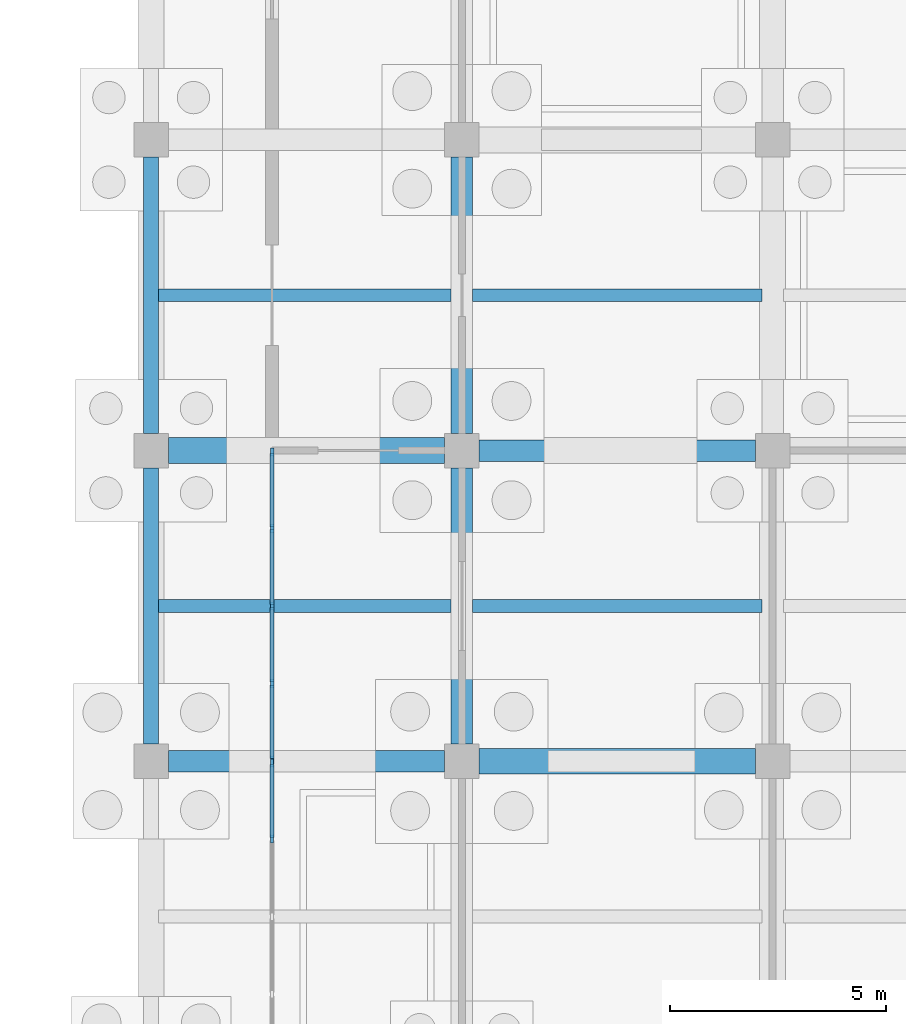
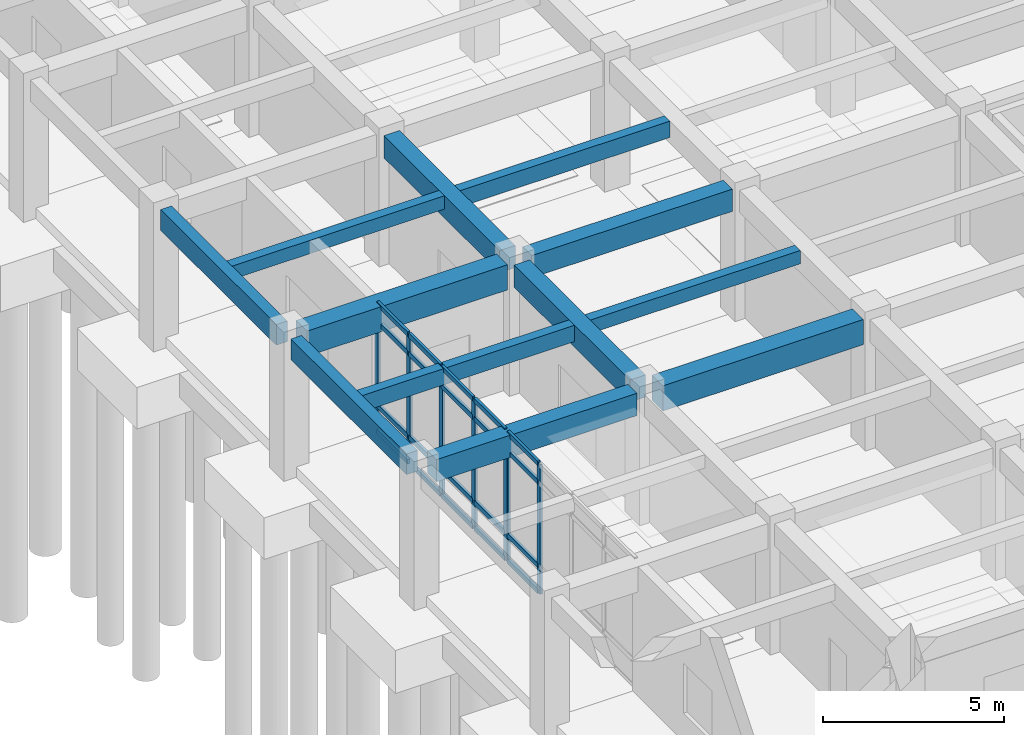
# One storey, part 31 of 79: 27 members, 12 beams, 2 elements without a shape of their own.
"""IFC4 building model written with IfcOpenShell, lengths in metres."""

from ifc_helpers import new_model, si_unit, direction, frame, origin, origin_2d, place, context, subcontext, project, spatial, rectangle, extrude, material, layer, layer_set, material_profile, profile_set, type_object, element, aggregate, save


model = new_model("IFC4")

# Units and contexts
model_context = context("Model", 3, precision=1e-05, world=origin(), true_north=direction((0.0, 1.0)))
body_context = subcontext(model_context, "Body", "Model", "MODEL_VIEW")
ifc_project = project(units=[si_unit("LENGTHUNIT", "METRE"), si_unit("AREAUNIT", "SQUARE_METRE"), si_unit("VOLUMEUNIT", "CUBIC_METRE"), si_unit("PLANEANGLEUNIT", "RADIAN"), si_unit("MASSUNIT", "GRAM", prefix="KILO")], contexts=[model_context])

# Site, building, storey
site_placement = place(None, origin())
site = spatial("IfcSite", under=ifc_project, at=site_placement, CompositionType="ELEMENT")
building_placement = place(site_placement, origin())
building = spatial("IfcBuilding", under=site, at=building_placement, Name="Kavelor Marine Aquarium", CompositionType="ELEMENT")
storey_placement = place(building_placement, origin())
storey = spatial("IfcBuildingStorey", under=building, at=storey_placement, Name="L00", CompositionType="ELEMENT", Elevation=0.0)

# Beams
ifc_material_1 = material(Name="Concrete C40/50", Category="concrete")
ifc_material_profile_1 = material_profile(ifc_material_1, rectangle(XDim=0.60009765625, YDim=0.85009765625, at=origin_2d()), Name="RC-BM 600x850")
ifc_profile_set_1 = profile_set([ifc_material_profile_1], Name="Concrete C40/50")
beam_type_1 = type_object("IfcBeamType", Name="BM-B1", PredefinedType="BEAM", material=ifc_profile_set_1)
for number, where, z_axis, x_axis, name in (
    (1, (118.800048828125, 74.800048828125, 3.955078125), (1.0, 0.0, 0.0), (0.0, 1.0, 0.0), "bm:x:L00:L01:16_10"),
    (2, (126.0, 67.60009765625, 3.955078125), (1.0, 0.0, 0.0), (0.0, 1.0, 0.0), "bm:x:L00:L01:17_09"),
):
    element("IfcBeam", number, at=place(storey_placement, frame(where, z_axis=z_axis, x_axis=x_axis)), inside=storey, type_object=beam_type_1, Name=name, PredefinedType="BEAM", context=body_context, shape_type="SweptSolid", body=[
        extrude(rectangle(XDim=0.60009765625, YDim=0.85009765625, at=origin_2d()), origin(), (0.0, 0.0, 1.0), 6.39990234375),
    ])
ifc_material_2 = material(Name="Concrete C40/50", Category="concrete")
ifc_material_profile_2 = material_profile(ifc_material_2, rectangle(XDim=0.5, YDim=0.75, at=origin_2d()), Name="RC-BM 500x750")
ifc_profile_set_2 = profile_set([ifc_material_profile_2], Name="Concrete C40/50")
beam_type_2 = type_object("IfcBeamType", Name="BM-B2", PredefinedType="BEAM", material=ifc_profile_set_2)
for number, where, z_axis, x_axis, name in (
    (3, (118.800048828125, 67.60009765625, 4.0048828125), (1.0, 0.0, 0.0), (0.0, 1.0, 0.0), "bm:x:L00:L01:16_09"),
    (4, (126.0, 74.800048828125, 4.0048828125), (1.0, 0.0, 0.0), (0.0, 1.0, 0.0), "bm:x:L00:L01:17_10"),
    (5, (125.60009765625, 68.0, 4.0048828125), (0.0, 1.0, 0.0), (-1.0, 0.0, 0.0), "bm:y:L00:L01:17_09"),
):
    element("IfcBeam", number, at=place(storey_placement, frame(where, z_axis=z_axis, x_axis=x_axis)), inside=storey, type_object=beam_type_2, Name=name, PredefinedType="BEAM", context=body_context, shape_type="SweptSolid", body=[
        extrude(rectangle(XDim=0.5, YDim=0.75, at=origin_2d()), origin(), (0.0, 0.0, 1.0), 6.39990234375),
    ])
beam_1_placement = place(storey_placement, frame((125.60009765625, 75.199951171875, 4.0048828125), z_axis=(0.0, 1.0, 0.0), x_axis=(-1.0, 0.0, 0.0)))
element("IfcBeam", 6, at=beam_1_placement, inside=storey, type_object=beam_type_2, Name="bm:y:L00:L01:17_10", PredefinedType="BEAM", context=body_context, shape_type="SweptSolid", body=[
    extrude(rectangle(XDim=0.5, YDim=0.75, at=origin_2d()), origin(), (0.0, 0.0, 1.0), 6.400146484375),
])
ifc_material_3 = material(Name="Concrete C40/50", Category="concrete")
ifc_material_profile_3 = material_profile(ifc_material_3, rectangle(XDim=0.300048828125, YDim=0.449951171875, at=origin_2d()), Name="RC-JS 300x450")
ifc_profile_set_3 = profile_set([ifc_material_profile_3], Name="Concrete C40/50")
beam_type_3 = type_object("IfcBeamType", Name="BM-JS1", PredefinedType="JOIST", material=ifc_profile_set_3)
beam_2_placement = place(storey_placement, frame((118.574951171875, 78.39990234375, 4.155029296875), z_axis=(1.0, 0.0, 0.0), x_axis=(0.0, 1.0, 0.0)))
element("IfcBeam", 7, at=beam_2_placement, inside=storey, type_object=beam_type_3, Name="js:L00:L01:16_10", PredefinedType="JOIST", context=body_context, shape_type="SweptSolid", body=[
    extrude(rectangle(XDim=0.300048828125, YDim=0.449951171875, at=origin_2d()), origin(), (0.0, 0.0, 1.0), 6.775146484375),
])
beam_3_placement = place(storey_placement, frame((125.85009765625, 71.199951171875, 4.155029296875), z_axis=(1.0, 0.0, 0.0), x_axis=(0.0, 1.0, 0.0)))
element("IfcBeam", 8, at=beam_3_placement, inside=storey, type_object=beam_type_3, Name="js:L00:L01:17_09", PredefinedType="JOIST", context=body_context, shape_type="SweptSolid", body=[
    extrude(rectangle(XDim=0.300048828125, YDim=0.449951171875, at=origin_2d()), origin(), (0.0, 0.0, 1.0), 6.699951171875),
])
ifc_material_4 = material(Name="Concrete C40/50", Category="concrete")
ifc_material_profile_4 = material_profile(ifc_material_4, rectangle(XDim=0.300048828125, YDim=0.550048828125, at=origin_2d()), Name="RC-JS 300x550")
ifc_profile_set_4 = profile_set([ifc_material_profile_4], Name="Concrete C40/50")
beam_type_4 = type_object("IfcBeamType", Name="BM-JS2", PredefinedType="JOIST", material=ifc_profile_set_4)
beam_4_placement = place(storey_placement, frame((118.574951171875, 71.199951171875, 4.10498046875), z_axis=(1.0, 0.0, 0.0), x_axis=(0.0, 1.0, 0.0)))
element("IfcBeam", 9, at=beam_4_placement, inside=storey, type_object=beam_type_4, Name="js:L00:L01:16_09", PredefinedType="JOIST", context=body_context, shape_type="SweptSolid", body=[
    extrude(rectangle(XDim=0.300048828125, YDim=0.550048828125, at=origin_2d()), origin(), (0.0, 0.0, 1.0), 6.775146484375),
])
beam_5_placement = place(storey_placement, frame((125.85009765625, 78.39990234375, 4.10498046875), z_axis=(1.0, 0.0, 0.0), x_axis=(0.0, 1.0, 0.0)))
element("IfcBeam", 10, at=beam_5_placement, inside=storey, type_object=beam_type_4, Name="js:L00:L01:17_10", PredefinedType="JOIST", context=body_context, shape_type="SweptSolid", body=[
    extrude(rectangle(XDim=0.300048828125, YDim=0.550048828125, at=origin_2d()), origin(), (0.0, 0.0, 1.0), 6.699951171875),
])
ifc_material_5 = material(Name="Concrete C40/50", Category="concrete")
ifc_material_profile_5 = material_profile(ifc_material_5, rectangle(XDim=0.35009765625, YDim=0.699951171875, at=origin_2d()), Name="RC-SP 350x700")
ifc_profile_set_5 = profile_set([ifc_material_profile_5], Name="Concrete C40/50")
beam_type_5 = type_object("IfcBeamType", Name="BM-SP1", PredefinedType="SPANDREL", material=ifc_profile_set_5)
beam_6_placement = place(storey_placement, frame((118.39990234375, 68.0, 4.030029296875), z_axis=(0.0, 1.0, 0.0), x_axis=(-1.0, 0.0, 0.0)))
element("IfcBeam", 11, at=beam_6_placement, inside=storey, type_object=beam_type_5, Name="bm:y:L00:L01:16_09", PredefinedType="SPANDREL", context=body_context, shape_type="SweptSolid", body=[
    extrude(rectangle(XDim=0.35009765625, YDim=0.699951171875, at=origin_2d()), origin(), (0.0, 0.0, 1.0), 6.39990234375),
])
beam_7_placement = place(storey_placement, frame((118.39990234375, 75.199951171875, 4.030029296875), z_axis=(0.0, 1.0, 0.0), x_axis=(-1.0, 0.0, 0.0)))
element("IfcBeam", 12, at=beam_7_placement, inside=storey, type_object=beam_type_5, Name="bm:y:L00:L01:16_10", PredefinedType="SPANDREL", context=body_context, shape_type="SweptSolid", body=[
    extrude(rectangle(XDim=0.35009765625, YDim=0.699951171875, at=origin_2d()), origin(), (0.0, 0.0, 1.0), 6.400146484375),
])

# Curtain wall, members
ifc_material_6 = material(Name="Thermally Broken Aluminium and Low-E Glass", Category="aluminium")
ifc_layer_1 = layer(ifc_material_6, 0.26806640625)
ifc_layer_set_1 = layer_set([ifc_layer_1], Name="CW-SYS16")
curtain_wall_type_1 = type_object("IfcCurtainWallType", Name="CW-SYS16", PredefinedType="USERDEFINED", material=ifc_layer_set_1)
curtain_wall_1_placement = place(storey_placement, origin())
curtain_wall_1 = element("IfcCurtainWall", 13, at=curtain_wall_1_placement, inside=storey, type_object=curtain_wall_type_1, Name="cw:arc:v6w:08", ObjectType="Curtain Wall", PredefinedType="USERDEFINED")
ifc_material_7 = material(Name="Anodised Aluminium Alloy 6063-T6", Category="aluminium")
ifc_material_profile_6 = material_profile(ifc_material_7, rectangle(XDim=0.074951171875, YDim=0.179931640625, at=origin_2d()), Name="CW-MUL 75x180")
ifc_profile_set_6 = profile_set([ifc_material_profile_6], Name="Anodised Aluminium Alloy 6063-T6")
member_type_1 = type_object("IfcMemberType", Name="CWM-1", PredefinedType="MULLION", material=ifc_profile_set_6)
member_1_placement = place(storey_placement, frame((121.199951171875, 67.5625, 0.0), z_axis=(0.0, 0.0, 1.0), x_axis=(1.0, 0.0, 0.0)))
member_1 = element("IfcMember", 14, at=member_1_placement, type_object=member_type_1, Name="CW16 mullion 1", PredefinedType="MULLION", context=body_context, shape_type="SweptSolid", body=[
    extrude(rectangle(XDim=0.074951171875, YDim=0.179931640625, at=origin_2d()), origin(), (0.0, 0.0, 1.0), 4.3701171875),
])
member_2_placement = place(storey_placement, frame((121.199951171875, 65.800048828125, 0.0), z_axis=(0.0, 0.0, 1.0), x_axis=(1.0, 0.0, 0.0)))
member_2 = element("IfcMember", 15, at=member_2_placement, type_object=member_type_1, Name="CW16 mullion 2", PredefinedType="MULLION", context=body_context, shape_type="SweptSolid", body=[
    extrude(rectangle(XDim=0.074951171875, YDim=0.179931640625, at=origin_2d()), origin(), (0.0, 0.0, 1.0), 4.3701171875),
])

ifc_material_8 = material(Name="Thermally Broken Aluminium and Low-E Glass", Category="aluminium")
ifc_layer_2 = layer(ifc_material_8, 0.27587890625)
ifc_layer_set_2 = layer_set([ifc_layer_2], Name="CW-SYS17")
curtain_wall_type_2 = type_object("IfcCurtainWallType", Name="CW-SYS17", PredefinedType="USERDEFINED", material=ifc_layer_set_2)
curtain_wall_2_placement = place(storey_placement, origin())
curtain_wall_2 = element("IfcCurtainWall", 16, at=curtain_wall_2_placement, inside=storey, type_object=curtain_wall_type_2, Name="cw:arc:v6w:09", ObjectType="Curtain Wall", PredefinedType="USERDEFINED")
ifc_material_9 = material(Name="Anodised Aluminium Alloy 6063-T6", Category="aluminium")
ifc_material_profile_7 = material_profile(ifc_material_9, rectangle(XDim=0.080078125, YDim=0.18505859375, at=origin_2d()), Name="CW-MUL 80x185")
ifc_profile_set_7 = profile_set([ifc_material_profile_7], Name="Anodised Aluminium Alloy 6063-T6")
member_type_2 = type_object("IfcMemberType", Name="CWM-2", PredefinedType="MULLION", material=ifc_profile_set_7)
member_3_placement = place(storey_placement, frame((121.199951171875, 74.767578125, 0.0), z_axis=(0.0, 0.0, 1.0), x_axis=(1.0, 0.0, 0.0)))
member_3 = element("IfcMember", 17, at=member_3_placement, type_object=member_type_2, Name="CW17 mullion 1", PredefinedType="MULLION", context=body_context, shape_type="SweptSolid", body=[
    extrude(rectangle(XDim=0.080078125, YDim=0.18505859375, at=origin_2d()), origin(), (0.0, 0.0, 1.0), 4.3701171875),
])
member_4_placement = place(storey_placement, frame((121.199951171875, 73.0, 0.0), z_axis=(0.0, 0.0, 1.0), x_axis=(1.0, 0.0, 0.0)))
member_4 = element("IfcMember", 18, at=member_4_placement, type_object=member_type_2, Name="CW17 mullion 2", PredefinedType="MULLION", context=body_context, shape_type="SweptSolid", body=[
    extrude(rectangle(XDim=0.080078125, YDim=0.18505859375, at=origin_2d()), origin(), (0.0, 0.0, 1.0), 4.3701171875),
])
member_5_placement = place(storey_placement, frame((121.199951171875, 71.199951171875, 0.0), z_axis=(0.0, 0.0, 1.0), x_axis=(1.0, 0.0, 0.0)))
member_5 = element("IfcMember", 19, at=member_5_placement, type_object=member_type_2, Name="CW17 mullion 3", PredefinedType="MULLION", context=body_context, shape_type="SweptSolid", body=[
    extrude(rectangle(XDim=0.080078125, YDim=0.18505859375, at=origin_2d()), origin(), (0.0, 0.0, 1.0), 4.3701171875),
])
member_6_placement = place(storey_placement, frame((121.199951171875, 69.39990234375, 0.0), z_axis=(0.0, 0.0, 1.0), x_axis=(1.0, 0.0, 0.0)))
member_6 = element("IfcMember", 20, at=member_6_placement, type_object=member_type_2, Name="CW17 mullion 4", PredefinedType="MULLION", context=body_context, shape_type="SweptSolid", body=[
    extrude(rectangle(XDim=0.080078125, YDim=0.18505859375, at=origin_2d()), origin(), (0.0, 0.0, 1.0), 4.3701171875),
])
member_7_placement = place(storey_placement, frame((121.199951171875, 67.632568359375, 0.0), z_axis=(0.0, 0.0, 1.0), x_axis=(1.0, 0.0, 0.0)))
member_7 = element("IfcMember", 21, at=member_7_placement, type_object=member_type_2, Name="CW17 mullion 5", PredefinedType="MULLION", context=body_context, shape_type="SweptSolid", body=[
    extrude(rectangle(XDim=0.080078125, YDim=0.18505859375, at=origin_2d()), origin(), (0.0, 0.0, 1.0), 4.3701171875),
])

# Member
ifc_material_10 = material(Name="Anodised Aluminium Alloy 6063-T6", Category="aluminium")
ifc_material_profile_8 = material_profile(ifc_material_10, rectangle(XDim=0.0849609375, YDim=0.159912109375, at=origin_2d()), Name="CW-TRN 85x160")
ifc_profile_set_8 = profile_set([ifc_material_profile_8], Name="Anodised Aluminium Alloy 6063-T6")
member_type_3 = type_object("IfcMemberType", Name="CWT-3", PredefinedType="USERDEFINED", material=ifc_profile_set_8)
member_8_placement = place(storey_placement, frame((121.199951171875, 67.52490234375, 0.030029296875), z_axis=(0.0, -1.0, 0.0), x_axis=(1.0, 0.0, 0.0)))
member_8 = element("IfcMember", 22, at=member_8_placement, type_object=member_type_3, Name="CW16 transom 1.1", ObjectType="TRANSOM", PredefinedType="USERDEFINED", context=body_context, shape_type="SweptSolid", body=[
    extrude(rectangle(XDim=0.0849609375, YDim=0.159912109375, at=origin_2d()), origin(), (0.0, 0.0, 1.0), 1.6875),
])

member_9_placement = place(storey_placement, frame((121.199951171875, 67.52490234375, 0.89990234375), z_axis=(0.0, -1.0, 0.0), x_axis=(1.0, 0.0, 0.0)))
member_9 = element("IfcMember", 23, at=member_9_placement, type_object=member_type_3, Name="CW16 transom 1.2", ObjectType="TRANSOM", PredefinedType="USERDEFINED", context=body_context, shape_type="SweptSolid", body=[
    extrude(rectangle(XDim=0.0849609375, YDim=0.159912109375, at=origin_2d()), origin(), (0.0, 0.0, 1.0), 1.6875),
])

member_10_placement = place(storey_placement, frame((121.199951171875, 67.52490234375, 3.719970703125), z_axis=(0.0, -1.0, 0.0), x_axis=(1.0, 0.0, 0.0)))
member_10 = element("IfcMember", 24, at=member_10_placement, type_object=member_type_3, Name="CW16 transom 1.3", ObjectType="TRANSOM", PredefinedType="USERDEFINED", context=body_context, shape_type="SweptSolid", body=[
    extrude(rectangle(XDim=0.0849609375, YDim=0.159912109375, at=origin_2d()), origin(), (0.0, 0.0, 1.0), 1.6875),
])

member_11_placement = place(storey_placement, frame((121.199951171875, 67.52490234375, 4.340087890625), z_axis=(0.0, -1.0, 0.0), x_axis=(1.0, 0.0, 0.0)))
member_11 = element("IfcMember", 25, at=member_11_placement, type_object=member_type_3, Name="CW16 transom 1.4", ObjectType="TRANSOM", PredefinedType="USERDEFINED", context=body_context, shape_type="SweptSolid", body=[
    extrude(rectangle(XDim=0.0849609375, YDim=0.159912109375, at=origin_2d()), origin(), (0.0, 0.0, 1.0), 1.6875),
])

aggregate(curtain_wall_1, [member_1, member_2, member_8, member_9, member_10, member_11])

member_12_placement = place(storey_placement, frame((121.199951171875, 74.735107421875, 0.030029296875), z_axis=(0.0, -1.0, 0.0), x_axis=(1.0, 0.0, 0.0)))
member_12 = element("IfcMember", 26, at=member_12_placement, type_object=member_type_3, Name="CW17 transom 1.1", ObjectType="TRANSOM", PredefinedType="USERDEFINED", context=body_context, shape_type="SweptSolid", body=[
    extrude(rectangle(XDim=0.0849609375, YDim=0.159912109375, at=origin_2d()), origin(), (0.0, 0.0, 1.0), 1.70263671875),
])

member_13_placement = place(storey_placement, frame((121.199951171875, 74.735107421875, 0.89990234375), z_axis=(0.0, -1.0, 0.0), x_axis=(1.0, 0.0, 0.0)))
member_13 = element("IfcMember", 27, at=member_13_placement, type_object=member_type_3, Name="CW17 transom 1.2", ObjectType="TRANSOM", PredefinedType="USERDEFINED", context=body_context, shape_type="SweptSolid", body=[
    extrude(rectangle(XDim=0.0849609375, YDim=0.159912109375, at=origin_2d()), origin(), (0.0, 0.0, 1.0), 1.70263671875),
])

member_14_placement = place(storey_placement, frame((121.199951171875, 74.735107421875, 3.719970703125), z_axis=(0.0, -1.0, 0.0), x_axis=(1.0, 0.0, 0.0)))
member_14 = element("IfcMember", 28, at=member_14_placement, type_object=member_type_3, Name="CW17 transom 1.3", ObjectType="TRANSOM", PredefinedType="USERDEFINED", context=body_context, shape_type="SweptSolid", body=[
    extrude(rectangle(XDim=0.0849609375, YDim=0.159912109375, at=origin_2d()), origin(), (0.0, 0.0, 1.0), 1.70263671875),
])

member_15_placement = place(storey_placement, frame((121.199951171875, 74.735107421875, 4.340087890625), z_axis=(0.0, -1.0, 0.0), x_axis=(1.0, 0.0, 0.0)))
member_15 = element("IfcMember", 29, at=member_15_placement, type_object=member_type_3, Name="CW17 transom 1.4", ObjectType="TRANSOM", PredefinedType="USERDEFINED", context=body_context, shape_type="SweptSolid", body=[
    extrude(rectangle(XDim=0.0849609375, YDim=0.159912109375, at=origin_2d()), origin(), (0.0, 0.0, 1.0), 1.70263671875),
])

member_16_placement = place(storey_placement, frame((121.199951171875, 72.967529296875, 0.030029296875), z_axis=(0.0, -1.0, 0.0), x_axis=(1.0, 0.0, 0.0)))
member_16 = element("IfcMember", 30, at=member_16_placement, type_object=member_type_3, Name="CW17 transom 2.1", ObjectType="TRANSOM", PredefinedType="USERDEFINED", context=body_context, shape_type="SweptSolid", body=[
    extrude(rectangle(XDim=0.0849609375, YDim=0.159912109375, at=origin_2d()), origin(), (0.0, 0.0, 1.0), 1.735107421875),
])

member_17_placement = place(storey_placement, frame((121.199951171875, 72.967529296875, 0.89990234375), z_axis=(0.0, -1.0, 0.0), x_axis=(1.0, 0.0, 0.0)))
member_17 = element("IfcMember", 31, at=member_17_placement, type_object=member_type_3, Name="CW17 transom 2.2", ObjectType="TRANSOM", PredefinedType="USERDEFINED", context=body_context, shape_type="SweptSolid", body=[
    extrude(rectangle(XDim=0.0849609375, YDim=0.159912109375, at=origin_2d()), origin(), (0.0, 0.0, 1.0), 1.735107421875),
])

member_18_placement = place(storey_placement, frame((121.199951171875, 72.967529296875, 3.719970703125), z_axis=(0.0, -1.0, 0.0), x_axis=(1.0, 0.0, 0.0)))
member_18 = element("IfcMember", 32, at=member_18_placement, type_object=member_type_3, Name="CW17 transom 2.3", ObjectType="TRANSOM", PredefinedType="USERDEFINED", context=body_context, shape_type="SweptSolid", body=[
    extrude(rectangle(XDim=0.0849609375, YDim=0.159912109375, at=origin_2d()), origin(), (0.0, 0.0, 1.0), 1.735107421875),
])

member_19_placement = place(storey_placement, frame((121.199951171875, 72.967529296875, 4.340087890625), z_axis=(0.0, -1.0, 0.0), x_axis=(1.0, 0.0, 0.0)))
member_19 = element("IfcMember", 33, at=member_19_placement, type_object=member_type_3, Name="CW17 transom 2.4", ObjectType="TRANSOM", PredefinedType="USERDEFINED", context=body_context, shape_type="SweptSolid", body=[
    extrude(rectangle(XDim=0.0849609375, YDim=0.159912109375, at=origin_2d()), origin(), (0.0, 0.0, 1.0), 1.735107421875),
])

member_20_placement = place(storey_placement, frame((121.199951171875, 71.16748046875, 0.030029296875), z_axis=(0.0, -1.0, 0.0), x_axis=(1.0, 0.0, 0.0)))
member_20 = element("IfcMember", 34, at=member_20_placement, type_object=member_type_3, Name="CW17 transom 3.1", ObjectType="TRANSOM", PredefinedType="USERDEFINED", context=body_context, shape_type="SweptSolid", body=[
    extrude(rectangle(XDim=0.0849609375, YDim=0.159912109375, at=origin_2d()), origin(), (0.0, 0.0, 1.0), 1.73486328125),
])

member_21_placement = place(storey_placement, frame((121.199951171875, 71.16748046875, 0.89990234375), z_axis=(0.0, -1.0, 0.0), x_axis=(1.0, 0.0, 0.0)))
member_21 = element("IfcMember", 35, at=member_21_placement, type_object=member_type_3, Name="CW17 transom 3.2", ObjectType="TRANSOM", PredefinedType="USERDEFINED", context=body_context, shape_type="SweptSolid", body=[
    extrude(rectangle(XDim=0.0849609375, YDim=0.159912109375, at=origin_2d()), origin(), (0.0, 0.0, 1.0), 1.73486328125),
])

member_22_placement = place(storey_placement, frame((121.199951171875, 71.16748046875, 3.719970703125), z_axis=(0.0, -1.0, 0.0), x_axis=(1.0, 0.0, 0.0)))
member_22 = element("IfcMember", 36, at=member_22_placement, type_object=member_type_3, Name="CW17 transom 3.3", ObjectType="TRANSOM", PredefinedType="USERDEFINED", context=body_context, shape_type="SweptSolid", body=[
    extrude(rectangle(XDim=0.0849609375, YDim=0.159912109375, at=origin_2d()), origin(), (0.0, 0.0, 1.0), 1.73486328125),
])

member_23_placement = place(storey_placement, frame((121.199951171875, 71.16748046875, 4.340087890625), z_axis=(0.0, -1.0, 0.0), x_axis=(1.0, 0.0, 0.0)))
member_23 = element("IfcMember", 37, at=member_23_placement, type_object=member_type_3, Name="CW17 transom 3.4", ObjectType="TRANSOM", PredefinedType="USERDEFINED", context=body_context, shape_type="SweptSolid", body=[
    extrude(rectangle(XDim=0.0849609375, YDim=0.159912109375, at=origin_2d()), origin(), (0.0, 0.0, 1.0), 1.73486328125),
])

member_24_placement = place(storey_placement, frame((121.199951171875, 69.367431640625, 0.030029296875), z_axis=(0.0, -1.0, 0.0), x_axis=(1.0, 0.0, 0.0)))
member_24 = element("IfcMember", 38, at=member_24_placement, type_object=member_type_3, Name="CW17 transom 4.1", ObjectType="TRANSOM", PredefinedType="USERDEFINED", context=body_context, shape_type="SweptSolid", body=[
    extrude(rectangle(XDim=0.0849609375, YDim=0.159912109375, at=origin_2d()), origin(), (0.0, 0.0, 1.0), 1.702392578125),
])

member_25_placement = place(storey_placement, frame((121.199951171875, 69.367431640625, 0.89990234375), z_axis=(0.0, -1.0, 0.0), x_axis=(1.0, 0.0, 0.0)))
member_25 = element("IfcMember", 39, at=member_25_placement, type_object=member_type_3, Name="CW17 transom 4.2", ObjectType="TRANSOM", PredefinedType="USERDEFINED", context=body_context, shape_type="SweptSolid", body=[
    extrude(rectangle(XDim=0.0849609375, YDim=0.159912109375, at=origin_2d()), origin(), (0.0, 0.0, 1.0), 1.702392578125),
])

member_26_placement = place(storey_placement, frame((121.199951171875, 69.367431640625, 3.719970703125), z_axis=(0.0, -1.0, 0.0), x_axis=(1.0, 0.0, 0.0)))
member_26 = element("IfcMember", 40, at=member_26_placement, type_object=member_type_3, Name="CW17 transom 4.3", ObjectType="TRANSOM", PredefinedType="USERDEFINED", context=body_context, shape_type="SweptSolid", body=[
    extrude(rectangle(XDim=0.0849609375, YDim=0.159912109375, at=origin_2d()), origin(), (0.0, 0.0, 1.0), 1.702392578125),
])

member_27_placement = place(storey_placement, frame((121.199951171875, 69.367431640625, 4.340087890625), z_axis=(0.0, -1.0, 0.0), x_axis=(1.0, 0.0, 0.0)))
member_27 = element("IfcMember", 41, at=member_27_placement, type_object=member_type_3, Name="CW17 transom 4.4", ObjectType="TRANSOM", PredefinedType="USERDEFINED", context=body_context, shape_type="SweptSolid", body=[
    extrude(rectangle(XDim=0.0849609375, YDim=0.159912109375, at=origin_2d()), origin(), (0.0, 0.0, 1.0), 1.702392578125),
])

aggregate(curtain_wall_2, [member_3, member_4, member_5, member_6, member_7, member_12, member_13, member_14, member_15, member_16, member_17, member_18, member_19, member_20, member_21, member_22, member_23, member_24, member_25, member_26, member_27])

save(model, "model.ifc")
